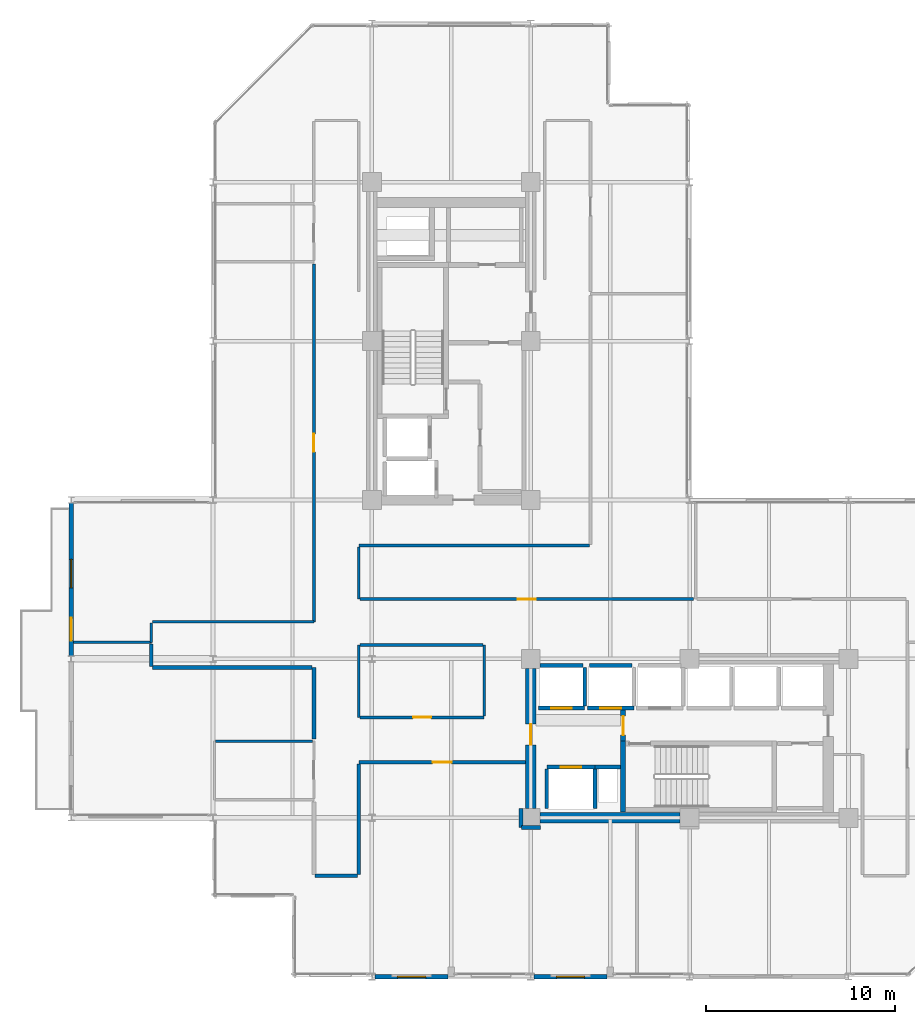
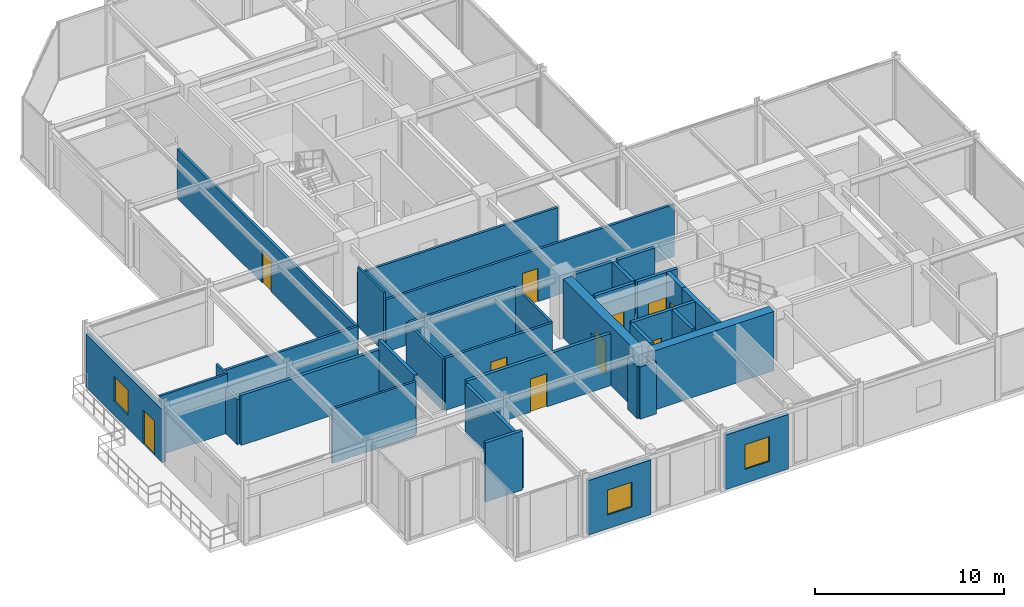
# One storey, part 24 of 29: 36 walls, 10 doors, 3 windows, 13 openings.
"""IFC4 building model written with IfcOpenShell, lengths in metres."""

from ifc_helpers import new_model, si_unit, direction, frame, frame_2d, origin, place, context, subcontext, project, spatial, rectangle, extrude, material, layer, layer_set, type_object, element, fill, save


model = new_model("IFC4")

# Units and contexts
model_context = context("Model", 3, precision=1e-05, world=origin(), true_north=direction((0.0, 1.0)))
body_context = subcontext(model_context, "Body", "Model", "MODEL_VIEW")
ifc_project = project(units=[si_unit("LENGTHUNIT", "METRE"), si_unit("AREAUNIT", "SQUARE_METRE"), si_unit("VOLUMEUNIT", "CUBIC_METRE"), si_unit("PLANEANGLEUNIT", "RADIAN"), si_unit("MASSUNIT", "GRAM", prefix="KILO")], contexts=[model_context])

# Site, building, storey
site_placement = place(None, origin())
site = spatial("IfcSite", under=ifc_project, at=site_placement, CompositionType="ELEMENT")
building_placement = place(site_placement, origin())
building = spatial("IfcBuilding", under=site, at=building_placement, Name="Nerrivon Quay Data Exchange", CompositionType="ELEMENT")
storey_placement = place(building_placement, frame((0.0, 0.0, 200.10009765625)))
storey = spatial("IfcBuildingStorey", under=building, at=storey_placement, Name="L47", CompositionType="ELEMENT", Elevation=200.10009765625)

# Wall, openings, door, window
ifc_material_1 = material(Name="Architectural terracotta precast concrete N50 (50 MPa)", Category="masonry")
ifc_layer_1 = layer(ifc_material_1, 0.239990234375)
ifc_layer_set_1 = layer_set([ifc_layer_1], Name="Architectural terracotta precast concrete N50 (50 MPa)")
wall_type_1 = type_object("IfcWallType", Name="EW-PREC-240", PredefinedType="STANDARD", material=ifc_layer_set_1)
wall_1_placement = place(storey_placement, frame((-7.5, 16.96337890625, 0.0), z_axis=(0.0, 0.0, 1.0), x_axis=(0.0, 1.0, 0.0)))
wall_1 = element("IfcWall", 1, at=wall_1_placement, inside=storey, type_object=wall_type_1, Name="L47 Terrace Host Wall 2", PredefinedType="STANDARD", context=body_context, shape_type="SweptSolid", body=[
    extrude(rectangle(XDim=8.0732421875, YDim=0.239990234375, at=frame_2d((4.03662109375, 0.0))), origin(), (0.0, 0.0, 1.0), 3.421875),
])
opening_1_placement = place(wall_1_placement, frame((0.800048828125, 0.0, 0.0)))
opening_1 = element("IfcOpeningElement", 2, at=opening_1_placement, cuts=wall_1, Name="Opening TD1", PredefinedType="OPENING", context=body_context, shape_type="SweptSolid", body=[
    extrude(rectangle(XDim=1.199951171875, YDim=2.199951171875, at=frame_2d((0.60009765625, 1.10009765625))), frame((0.0, 0.1298828125, 0.0), z_axis=(0.0, -1.0, 0.0), x_axis=(1.0, 0.0, 0.0)), (0.0, 0.0, 1.0), 0.260009765625),
])
opening_2_placement = place(wall_1_placement, frame((3.5947265625, 0.0, 0.89990234375)))
opening_2 = element("IfcOpeningElement", 3, at=opening_2_placement, cuts=wall_1, Name="Opening WN4", PredefinedType="OPENING", context=body_context, shape_type="SweptSolid", body=[
    extrude(rectangle(XDim=1.5, YDim=1.60009765625, at=frame_2d((0.75, 0.800048828125))), frame((0.0, 0.1298828125, 0.0), z_axis=(0.0, -1.0, 0.0), x_axis=(1.0, 0.0, 0.0)), (0.0, 0.0, 1.0), 0.260009765625),
])
ifc_material_2 = material(Name="Double-glazed low-E solar control glass", Category="glass")
door_type_1 = type_object("IfcDoorType", Name="DR-TERR-1200x2200", OperationType="NOTDEFINED", PredefinedType="DOOR", material=ifc_material_2)
door_1_placement = place(opening_1_placement, origin())
door_1 = element("IfcDoor", 4, at=door_1_placement, inside=storey, type_object=door_type_1, Name="L47 Outdoor Terrace Access Door 2", OperationType="SINGLE_SWING_LEFT", OverallHeight=2.199951171875, OverallWidth=1.199951171875, PredefinedType="DOOR", context=body_context, shape_type="SweptSolid", body=[
    extrude(rectangle(XDim=1.199951171875, YDim=2.199951171875, at=frame_2d((0.60009765625, 1.10009765625))), frame((0.0, 0.02490234375, 0.0), z_axis=(0.0, -1.0, 0.0), x_axis=(1.0, 0.0, 0.0)), (0.0, 0.0, 1.0), 0.050048828125),
])
fill(opening_1, door_1)
window_type = type_object("IfcWindowType", Name="WIN-W4-1500x1600", PartitioningType="SINGLE_PANEL", PredefinedType="WINDOW", material=ifc_material_2)
window_1_placement = place(opening_2_placement, origin())
window_1 = element("IfcWindow", 5, at=window_1_placement, inside=storey, type_object=window_type, Name="L47 Terrace Side Window 2", OverallHeight=1.60009765625, OverallWidth=1.5, PartitioningType="SINGLE_PANEL", PredefinedType="WINDOW", context=body_context, shape_type="SweptSolid", body=[
    extrude(rectangle(XDim=1.5, YDim=1.60009765625, at=frame_2d((0.75, 0.800048828125))), frame((0.0, 0.030029296875, 0.0), z_axis=(0.0, -1.0, 0.0), x_axis=(1.0, 0.0, 0.0)), (0.0, 0.0, 1.0), 0.06005859375),
])
fill(opening_2, window_1)

# Wall, opening, window
wall_2_placement = place(storey_placement, frame((20.824951171875, 0.0, 0.0), z_axis=(0.0, 0.0, 1.0), x_axis=(-1.0, 0.0, 0.0)))
wall_2 = element("IfcWall", 6, at=wall_2_placement, inside=storey, type_object=wall_type_1, Name="L47 Podium Precast Spandrel Wall 25", PredefinedType="STANDARD", context=body_context, shape_type="SweptSolid", body=[
    extrude(rectangle(XDim=3.849853515625, YDim=0.239990234375, at=frame_2d((1.9248046875, 0.0))), origin(), (0.0, 0.0, 1.0), 3.52490234375),
])
opening_3_placement = place(wall_2_placement, frame((1.175048828125, 0.0, 0.89990234375)))
opening_3 = element("IfcOpeningElement", 7, at=opening_3_placement, cuts=wall_2, Name="Opening WN4", PredefinedType="OPENING", context=body_context, shape_type="SweptSolid", body=[
    extrude(rectangle(XDim=1.5, YDim=1.60009765625, at=frame_2d((0.75, 0.800048828125))), frame((0.0, 0.1298828125, 0.0), z_axis=(0.0, -1.0, 0.0), x_axis=(1.0, 0.0, 0.0)), (0.0, 0.0, 1.0), 0.260009765625),
])
window_2_placement = place(opening_3_placement, origin())
window_2 = element("IfcWindow", 8, at=window_2_placement, inside=storey, type_object=window_type, Name="L47 Solar Facade Window 25", OverallHeight=1.60009765625, OverallWidth=1.5, PartitioningType="SINGLE_PANEL", PredefinedType="WINDOW", context=body_context, shape_type="SweptSolid", body=[
    extrude(rectangle(XDim=1.5, YDim=1.60009765625, at=frame_2d((0.75, 0.800048828125))), frame((0.0, 0.030029296875, 0.0), z_axis=(0.0, -1.0, 0.0), x_axis=(1.0, 0.0, 0.0)), (0.0, 0.0, 1.0), 0.06005859375),
])
fill(opening_3, window_2)

wall_3_placement = place(storey_placement, frame((12.425048828125, 0.0, 0.0), z_axis=(0.0, 0.0, 1.0), x_axis=(-1.0, 0.0, 0.0)))
wall_3 = element("IfcWall", 9, at=wall_3_placement, inside=storey, type_object=wall_type_1, Name="L47 Podium Precast Spandrel Wall 27", PredefinedType="STANDARD", context=body_context, shape_type="SweptSolid", body=[
    extrude(rectangle(XDim=3.85009765625, YDim=0.239990234375, at=frame_2d((1.925048828125, 0.0))), origin(), (0.0, 0.0, 1.0), 3.52490234375),
])
opening_4_placement = place(wall_3_placement, frame((1.175048828125, 0.0, 0.89990234375)))
opening_4 = element("IfcOpeningElement", 10, at=opening_4_placement, cuts=wall_3, Name="Opening WN4", PredefinedType="OPENING", context=body_context, shape_type="SweptSolid", body=[
    extrude(rectangle(XDim=1.5, YDim=1.60009765625, at=frame_2d((0.75, 0.800048828125))), frame((0.0, 0.1298828125, 0.0), z_axis=(0.0, -1.0, 0.0), x_axis=(1.0, 0.0, 0.0)), (0.0, 0.0, 1.0), 0.260009765625),
])
window_3_placement = place(opening_4_placement, origin())
window_3 = element("IfcWindow", 11, at=window_3_placement, inside=storey, type_object=window_type, Name="L47 Solar Facade Window 27", OverallHeight=1.60009765625, OverallWidth=1.5, PartitioningType="SINGLE_PANEL", PredefinedType="WINDOW", context=body_context, shape_type="SweptSolid", body=[
    extrude(rectangle(XDim=1.5, YDim=1.60009765625, at=frame_2d((0.75, 0.800048828125))), frame((0.0, 0.030029296875, 0.0), z_axis=(0.0, -1.0, 0.0), x_axis=(1.0, 0.0, 0.0)), (0.0, 0.0, 1.0), 0.06005859375),
])
fill(opening_4, window_3)

# Wall
ifc_material_3 = material(Name="Concrete S65 (65 MPa)", Category="concrete")
ifc_layer_2 = layer(ifc_material_3, 0.550048828125)
ifc_layer_set_2 = layer_set([ifc_layer_2], Name="Concrete S65 (65 MPa)")
wall_type_2 = type_object("IfcWallType", Name="WALL-CW-700", PredefinedType="SHEAR", material=ifc_layer_set_2)
wall_4_placement = place(storey_placement, frame((17.300048828125, 8.39990234375, 0.0), z_axis=(0.0, 0.0, 1.0), x_axis=(1.0, 0.0, 0.0)))
element("IfcWall", 12, at=wall_4_placement, inside=storey, type_object=wall_type_2, Name="L47 East Split-Core Shear Wall ECW-S1", PredefinedType="SHEAR", context=body_context, shape_type="SweptSolid", body=[
    extrude(rectangle(XDim=7.39990234375, YDim=0.550048828125, at=frame_2d((3.699951171875, 0.0))), origin(), (0.0, 0.0, 1.0), 3.824951171875),
])

# Wall, opening, door
wall_5_placement = place(storey_placement, frame((16.800048828125, 8.89990234375, 0.0), z_axis=(0.0, 0.0, 1.0), x_axis=(0.0, 1.0, 0.0)))
wall_5 = element("IfcWall", 13, at=wall_5_placement, inside=storey, type_object=wall_type_2, Name="L47 East Split-Core Shear Wall ECW-W1", PredefinedType="SHEAR", context=body_context, shape_type="SweptSolid", body=[
    extrude(rectangle(XDim=7.400146484375, YDim=0.550048828125, at=frame_2d((3.7001953125, 0.0))), origin(), (0.0, 0.0, 1.0), 3.824951171875),
])
opening_5_placement = place(wall_5_placement, frame((3.35009765625, 0.0, 0.0)))
opening_5 = element("IfcOpeningElement", 14, at=opening_5_placement, cuts=wall_5, Name="Opening FD-120", PredefinedType="OPENING", context=body_context, shape_type="SweptSolid", body=[
    extrude(rectangle(XDim=1.10009765625, YDim=2.14990234375, at=frame_2d((0.550048828125, 1.074951171875))), frame((0.0, 0.284912109375, 0.0), z_axis=(0.0, -1.0, 0.0), x_axis=(1.0, 0.0, 0.0)), (0.0, 0.0, 1.0), 0.570068359375),
])
ifc_material_4 = material(Name="Powder-coated galvanized steel sheet", Category="steel")
door_type_2 = type_object("IfcDoorType", Name="DR-FD120-1100", OperationType="NOTDEFINED", PredefinedType="DOOR", material=ifc_material_4)
door_2_placement = place(opening_5_placement, origin())
door_2 = element("IfcDoor", 15, at=door_2_placement, inside=storey, type_object=door_type_2, Name="L47 East Core Lobby Fire Door", OperationType="SINGLE_SWING_RIGHT", OverallHeight=2.14990234375, OverallWidth=1.10009765625, PredefinedType="DOOR", context=body_context, shape_type="SweptSolid", body=[
    extrude(rectangle(XDim=1.10009765625, YDim=2.14990234375, at=frame_2d((0.550048828125, 1.074951171875))), frame((0.0, 0.02490234375, 0.0), z_axis=(0.0, -1.0, 0.0), x_axis=(1.0, 0.0, 0.0)), (0.0, 0.0, 1.0), 0.050048828125),
])
fill(opening_5, door_2)

# Wall
ifc_material_5 = material(Name="Gypsum plasterboard on cold-formed framing", Category="gypsum")
ifc_layer_3 = layer(ifc_material_5, 0.199951171875)
ifc_layer_set_3 = layer_set([ifc_layer_3], Name="Gypsum plasterboard on cold-formed framing")
wall_type_3 = type_object("IfcWallType", Name="WALL-FW-200", PredefinedType="PARTITIONING", material=ifc_layer_set_3)
wall_6_placement = place(storey_placement, frame((20.199951171875, 11.080078125, 0.0), z_axis=(0.0, 0.0, 1.0), x_axis=(1.0, 0.0, 0.0)))
element("IfcWall", 16, at=wall_6_placement, inside=storey, type_object=wall_type_3, Name="L47 East Core MEP Riser Shaft Wall N", PredefinedType="PARTITIONING", context=body_context, shape_type="SweptSolid", body=[
    extrude(rectangle(XDim=1.35009765625, YDim=0.199951171875, at=frame_2d((0.675048828125, 0.0))), origin(), (0.0, 0.0, 1.0), 3.824951171875),
])

# Wall, opening, door
wall_7_placement = place(storey_placement, frame((17.64990234375, 11.080078125, 0.0), z_axis=(0.0, 0.0, 1.0), x_axis=(1.0, 0.0, 0.0)))
wall_7 = element("IfcWall", 17, at=wall_7_placement, inside=storey, type_object=wall_type_3, Name="L47 Lift Front Wall FFL-2", PredefinedType="PARTITIONING", context=body_context, shape_type="SweptSolid", body=[
    extrude(rectangle(XDim=2.550048828125, YDim=0.199951171875, at=frame_2d((1.27490234375, 0.0))), origin(), (0.0, 0.0, 1.0), 3.824951171875),
])
opening_6_placement = place(wall_7_placement, frame((0.72509765625, 0.0, 0.0)))
opening_6 = element("IfcOpeningElement", 18, at=opening_6_placement, cuts=wall_7, Name="Opening LD-120", PredefinedType="OPENING", context=body_context, shape_type="SweptSolid", body=[
    extrude(rectangle(XDim=1.10009765625, YDim=2.199951171875, at=frame_2d((0.550048828125, 1.10009765625))), frame((0.0, 0.10986328125, 0.0), z_axis=(0.0, -1.0, 0.0), x_axis=(1.0, 0.0, 0.0)), (0.0, 0.0, 1.0), 0.219970703125),
])
door_type_3 = type_object("IfcDoorType", Name="DR-LIFT-LD120", OperationType="DOUBLE_DOOR_SLIDING", PredefinedType="DOOR", material=ifc_material_4)
door_3_placement = place(opening_6_placement, origin())
door_3 = element("IfcDoor", 19, at=door_3_placement, inside=storey, type_object=door_type_3, Name="L47 Lift Landing Sliding Door FFL-2", OperationType="DOUBLE_DOOR_SLIDING", OverallHeight=2.199951171875, OverallWidth=1.10009765625, PredefinedType="DOOR", context=body_context, shape_type="SweptSolid", body=[
    extrude(rectangle(XDim=1.10009765625, YDim=2.199951171875, at=frame_2d((0.550048828125, 1.10009765625))), frame((0.0, 0.02490234375, 0.0), z_axis=(0.0, -1.0, 0.0), x_axis=(1.0, 0.0, 0.0)), (0.0, 0.0, 1.0), 0.050048828125),
])
fill(opening_6, door_3)

# Walls
for number, where, z_axis, x_axis, name in (
    (20, (20.199951171875, 8.8798828125, 0.0), (0.0, 0.0, 1.0), (0.0, 1.0, 0.0), "L47 Lift Shaft Wall FFL-2 EAST"),
    (21, (17.64990234375, 8.8798828125, 0.0), (0.0, 0.0, 1.0), (0.0, 1.0, 0.0), "L47 Lift Shaft Wall FFL-2 WEST"),
):
    element("IfcWall", number, at=place(storey_placement, frame(where, z_axis=z_axis, x_axis=x_axis)), inside=storey, type_object=wall_type_3, Name=name, PredefinedType="PARTITIONING", context=body_context, shape_type="SweptSolid", body=[
        extrude(rectangle(XDim=2.10009765625, YDim=0.199951171875, at=frame_2d((1.050048828125, 0.0))), origin(), (0.0, 0.0, 1.0), 3.824951171875),
    ])

# Wall, opening, door
wall_8_placement = place(storey_placement, frame((17.199951171875, 14.199951171875, 0.0), z_axis=(0.0, 0.0, 1.0), x_axis=(1.0, 0.0, 0.0)))
wall_8 = element("IfcWall", 22, at=wall_8_placement, inside=storey, type_object=wall_type_3, Name="L47 Lift Front Wall PL4", PredefinedType="PARTITIONING", context=body_context, shape_type="SweptSolid", body=[
    extrude(rectangle(XDim=2.449951171875, YDim=0.199951171875, at=frame_2d((1.22509765625, 0.0))), origin(), (0.0, 0.0, 1.0), 3.824951171875),
])
opening_7_placement = place(wall_8_placement, frame((0.675048828125, 0.0, 0.0)))
opening_7 = element("IfcOpeningElement", 23, at=opening_7_placement, cuts=wall_8, Name="Opening LD-120", PredefinedType="OPENING", context=body_context, shape_type="SweptSolid", body=[
    extrude(rectangle(XDim=1.10009765625, YDim=2.199951171875, at=frame_2d((0.550048828125, 1.10009765625))), frame((0.0, 0.10986328125, 0.0), z_axis=(0.0, -1.0, 0.0), x_axis=(1.0, 0.0, 0.0)), (0.0, 0.0, 1.0), 0.219970703125),
])
door_4_placement = place(opening_7_placement, origin())
door_4 = element("IfcDoor", 24, at=door_4_placement, inside=storey, type_object=door_type_3, Name="L47 Lift Landing Sliding Door PL4", OperationType="DOUBLE_DOOR_SLIDING", OverallHeight=2.199951171875, OverallWidth=1.10009765625, PredefinedType="DOOR", context=body_context, shape_type="SweptSolid", body=[
    extrude(rectangle(XDim=1.10009765625, YDim=2.199951171875, at=frame_2d((0.550048828125, 1.10009765625))), frame((0.0, 0.02490234375, 0.0), z_axis=(0.0, -1.0, 0.0), x_axis=(1.0, 0.0, 0.0)), (0.0, 0.0, 1.0), 0.050048828125),
])
fill(opening_7, door_4)

# Walls
wall_9_placement = place(storey_placement, frame((19.64990234375, 14.300048828125, 0.0), z_axis=(0.0, 0.0, 1.0), x_axis=(0.0, 1.0, 0.0)))
element("IfcWall", 25, at=wall_9_placement, inside=storey, type_object=wall_type_3, Name="L47 Lift Shaft Wall PL4 EAST", PredefinedType="PARTITIONING", context=body_context, shape_type="SweptSolid", body=[
    extrude(rectangle(XDim=2.050048828125, YDim=0.199951171875, at=frame_2d((1.02490234375, 0.0))), origin(), (0.0, 0.0, 1.0), 3.824951171875),
])
wall_10_placement = place(storey_placement, frame((17.300048828125, 16.449951171875, 0.0), z_axis=(0.0, 0.0, 1.0), x_axis=(1.0, 0.0, 0.0)))
element("IfcWall", 26, at=wall_10_placement, inside=storey, type_object=wall_type_3, Name="L47 Lift Shaft Wall PL4 NORTH", PredefinedType="PARTITIONING", context=body_context, shape_type="SweptSolid", body=[
    extrude(rectangle(XDim=2.25, YDim=0.199951171875, at=frame_2d((1.125, 0.0))), origin(), (0.0, 0.0, 1.0), 3.824951171875),
])

# Wall, opening, door
wall_11_placement = place(storey_placement, frame((19.800048828125, 14.199951171875, 0.0), z_axis=(0.0, 0.0, 1.0), x_axis=(1.0, 0.0, 0.0)))
wall_11 = element("IfcWall", 27, at=wall_11_placement, inside=storey, type_object=wall_type_3, Name="L47 Lift Front Wall PL5", PredefinedType="PARTITIONING", context=body_context, shape_type="SweptSolid", body=[
    extrude(rectangle(XDim=2.449951171875, YDim=0.199951171875, at=frame_2d((1.22509765625, 0.0))), origin(), (0.0, 0.0, 1.0), 3.824951171875),
])
opening_8_placement = place(wall_11_placement, frame((0.675048828125, 0.0, 0.0)))
opening_8 = element("IfcOpeningElement", 28, at=opening_8_placement, cuts=wall_11, Name="Opening LD-120", PredefinedType="OPENING", context=body_context, shape_type="SweptSolid", body=[
    extrude(rectangle(XDim=1.10009765625, YDim=2.199951171875, at=frame_2d((0.550048828125, 1.10009765625))), frame((0.0, 0.10986328125, 0.0), z_axis=(0.0, -1.0, 0.0), x_axis=(1.0, 0.0, 0.0)), (0.0, 0.0, 1.0), 0.219970703125),
])
door_5_placement = place(opening_8_placement, origin())
door_5 = element("IfcDoor", 29, at=door_5_placement, inside=storey, type_object=door_type_3, Name="L47 Lift Landing Sliding Door PL5", OperationType="DOUBLE_DOOR_SLIDING", OverallHeight=2.199951171875, OverallWidth=1.10009765625, PredefinedType="DOOR", context=body_context, shape_type="SweptSolid", body=[
    extrude(rectangle(XDim=1.10009765625, YDim=2.199951171875, at=frame_2d((0.550048828125, 1.10009765625))), frame((0.0, 0.02490234375, 0.0), z_axis=(0.0, -1.0, 0.0), x_axis=(1.0, 0.0, 0.0)), (0.0, 0.0, 1.0), 0.050048828125),
])
fill(opening_8, door_5)

# Walls
wall_12_placement = place(storey_placement, frame((19.89990234375, 16.449951171875, 0.0), z_axis=(0.0, 0.0, 1.0), x_axis=(1.0, 0.0, 0.0)))
element("IfcWall", 30, at=wall_12_placement, inside=storey, type_object=wall_type_3, Name="L47 Lift Shaft Wall PL5 NORTH", PredefinedType="PARTITIONING", context=body_context, shape_type="SweptSolid", body=[
    extrude(rectangle(XDim=2.25, YDim=0.199951171875, at=frame_2d((1.125, 0.0))), origin(), (0.0, 0.0, 1.0), 3.824951171875),
])
wall_13_placement = place(storey_placement, frame((-3.260009765625, 16.39990234375, 0.0), z_axis=(0.0, 0.0, 1.0), x_axis=(0.0, 1.0, 0.0)))
element("IfcWall", 31, at=wall_13_placement, inside=storey, type_object=wall_type_3, Name="L47 Partition Colocation Data Workspace 1", PredefinedType="PARTITIONING", context=body_context, shape_type="SweptSolid", body=[
    extrude(rectangle(XDim=1.198486328125, YDim=0.199951171875, at=frame_2d((0.59912109375, 0.0))), origin(), (0.0, 0.0, 1.0), 2.914794921875),
])
wall_14_placement = place(storey_placement, frame((17.303955078125, 7.88037109375, 0.0), z_axis=(0.0, 0.0, 1.0), x_axis=(-0.999999881717, -0.000486381265, 0.0)))
element("IfcWall", 32, at=wall_14_placement, inside=storey, type_object=wall_type_3, Name="L47 Partition Colocation Data Workspace 1", PredefinedType="PARTITIONING", context=body_context, shape_type="SweptSolid", body=[
    extrude(rectangle(XDim=1.00390625, YDim=0.199951171875, at=frame_2d((0.501953125, 0.0))), origin(), (0.0, 0.0, 1.0), 3.370849609375),
])
wall_15_placement = place(storey_placement, frame((16.280029296875, 7.89990234375, 0.0), z_axis=(0.0, 0.0, 1.0), x_axis=(0.000486381265, 0.999999881717, 0.0)))
element("IfcWall", 33, at=wall_15_placement, inside=storey, type_object=wall_type_3, Name="L47 Partition Colocation Data Workspace 1", PredefinedType="PARTITIONING", context=body_context, shape_type="SweptSolid", body=[
    extrude(rectangle(XDim=1.00390625, YDim=0.199951171875, at=frame_2d((0.501953125, 0.0))), origin(), (0.0, 0.0, 1.0), 3.364990234375),
])

# Wall, opening, door
wall_16_placement = place(storey_placement, frame((16.52099609375, 11.340087890625, 0.0), z_axis=(0.0, 0.0, 1.0), x_axis=(-1.0, 0.0, 0.0)))
wall_16 = element("IfcWall", 34, at=wall_16_placement, inside=storey, type_object=wall_type_3, Name="L47 Partition Colocation Data Workspace 1", PredefinedType="PARTITIONING", context=body_context, shape_type="SweptSolid", body=[
    extrude(rectangle(XDim=8.81103515625, YDim=0.199951171875, at=frame_2d((4.405517578125, 0.0))), origin(), (0.0, 0.0, 1.0), 3.370849609375),
])
opening_9_placement = place(wall_16_placement, frame((3.905517578125, 0.0, 0.0)))
opening_9 = element("IfcOpeningElement", 35, at=opening_9_placement, cuts=wall_16, Name="Opening FD-60", PredefinedType="OPENING", context=body_context, shape_type="SweptSolid", body=[
    extrude(rectangle(XDim=1.0, YDim=2.14990234375, at=frame_2d((0.5, 1.074951171875))), frame((0.0, 0.10986328125, 0.0), z_axis=(0.0, -1.0, 0.0), x_axis=(1.0, 0.0, 0.0)), (0.0, 0.0, 1.0), 0.219970703125),
])
ifc_material_6 = material(Name="Engineered hardwood timber", Category="wood")
door_type_4 = type_object("IfcDoorType", Name="DR-FD60-1000", OperationType="NOTDEFINED", PredefinedType="DOOR", material=ifc_material_6)
door_6_placement = place(opening_9_placement, origin())
door_6 = element("IfcDoor", 36, at=door_6_placement, inside=storey, type_object=door_type_4, Name="L47 Door Colocation Data Workspace 1", OperationType="SINGLE_SWING_RIGHT", OverallHeight=2.14990234375, OverallWidth=1.0, PredefinedType="DOOR", context=body_context, shape_type="SweptSolid", body=[
    extrude(rectangle(XDim=1.0, YDim=2.14990234375, at=frame_2d((0.5, 1.074951171875))), frame((0.0, 0.02490234375, 0.0), z_axis=(0.0, -1.0, 0.0), x_axis=(1.0, 0.0, 0.0)), (0.0, 0.0, 1.0), 0.050048828125),
])
fill(opening_9, door_6)

# Walls
wall_17_placement = place(storey_placement, frame((7.7099609375, 11.236083984375, 0.0), z_axis=(0.0, 0.0, 1.0), x_axis=(0.0, -1.0, 0.0)))
element("IfcWall", 37, at=wall_17_placement, inside=storey, type_object=wall_type_3, Name="L47 Partition Colocation Data Workspace 1", PredefinedType="PARTITIONING", context=body_context, shape_type="SweptSolid", body=[
    extrude(rectangle(XDim=5.836181640625, YDim=0.199951171875, at=frame_2d((2.91796875, 0.0))), origin(), (0.0, 0.0, 1.0), 3.212890625),
])
wall_18_placement = place(storey_placement, frame((7.64990234375, 5.340087890625, 0.0), z_axis=(0.0, 0.0, 1.0), x_axis=(-1.0, 0.0, 0.0)))
element("IfcWall", 38, at=wall_18_placement, inside=storey, type_object=wall_type_3, Name="L47 Partition Colocation Data Workspace 1", PredefinedType="PARTITIONING", context=body_context, shape_type="SweptSolid", body=[
    extrude(rectangle(XDim=2.25, YDim=0.199951171875, at=frame_2d((1.125, 0.0))), origin(), (0.0, 0.0, 1.0), 3.824951171875),
])
wall_19_placement = place(storey_placement, frame((5.340087890625, 12.570068359375, 0.0), z_axis=(0.0, 0.0, 1.0), x_axis=(0.0, 1.0, 0.0)))
element("IfcWall", 39, at=wall_19_placement, inside=storey, type_object=wall_type_3, Name="L47 Partition Colocation Data Workspace 1", PredefinedType="PARTITIONING", context=body_context, shape_type="SweptSolid", body=[
    extrude(rectangle(XDim=3.77001953125, YDim=0.199951171875, at=frame_2d((1.885009765625, 0.0))), origin(), (0.0, 0.0, 1.0), 3.824951171875),
])
wall_20_placement = place(storey_placement, frame((5.236083984375, 16.340087890625, 0.0), z_axis=(0.0, 0.0, 1.0), x_axis=(-1.0, 0.0, 0.0)))
element("IfcWall", 40, at=wall_20_placement, inside=storey, type_object=wall_type_3, Name="L47 Partition Colocation Data Workspace 1", PredefinedType="PARTITIONING", context=body_context, shape_type="SweptSolid", body=[
    extrude(rectangle(XDim=8.43603515625, YDim=0.199951171875, at=frame_2d((4.218017578125, 0.0))), origin(), (0.0, 0.0, 1.0), 3.222900390625),
])
ifc_layer_4 = layer(ifc_material_5, 0.1201171875)
ifc_layer_set_4 = layer_set([ifc_layer_4], Name="Gypsum plasterboard on cold-formed framing")
wall_type_4 = type_object("IfcWallType", Name="WALL-PT-120", PredefinedType="PARTITIONING", material=ifc_layer_set_4)
wall_21_placement = place(storey_placement, frame((7.7099609375, 22.7109375, 0.0), z_axis=(0.0, 0.0, 1.0), x_axis=(0.0, -1.0, 0.0)))
element("IfcWall", 41, at=wall_21_placement, inside=storey, type_object=wall_type_4, Name="L47 Partition Staff Tea Pantry", PredefinedType="PARTITIONING", context=body_context, shape_type="SweptSolid", body=[
    extrude(rectangle(XDim=2.7509765625, YDim=0.1201171875, at=frame_2d((1.37548828125, 0.0))), origin(), (0.0, 0.0, 1.0), 3.824951171875),
])
wall_22_placement = place(storey_placement, frame((-3.260009765625, 17.669921875, 0.0), z_axis=(0.0, 0.0, 1.0), x_axis=(0.000235682294, 0.999999972227, 0.0)))
element("IfcWall", 42, at=wall_22_placement, inside=storey, type_object=wall_type_4, Name="L47 Partition Network Security Control", PredefinedType="PARTITIONING", context=body_context, shape_type="SweptSolid", body=[
    extrude(rectangle(XDim=1.035888671875, YDim=0.1201171875, at=frame_2d((0.51806640625, 0.0))), origin(), (0.0, 0.0, 1.0), 3.824951171875),
])
ifc_layer_5 = layer(ifc_material_5, 0.135009765625)
ifc_layer_set_5 = layer_set([ifc_layer_5], Name="Gypsum plasterboard on cold-formed framing")
wall_type_5 = type_object("IfcWallType", Name="WALL-PT-135", PredefinedType="PARTITIONING", material=ifc_layer_set_5)
wall_23_placement = place(storey_placement, frame((5.27587890625, 12.449951171875, 0.0), z_axis=(0.0, 0.0, 1.0), x_axis=(-1.0, 0.0, 0.0)))
element("IfcWall", 43, at=wall_23_placement, inside=storey, type_object=wall_type_5, Name="L47 Partition Public Washrooms", PredefinedType="PARTITIONING", context=body_context, shape_type="SweptSolid", body=[
    extrude(rectangle(XDim=5.1318359375, YDim=0.135009765625, at=frame_2d((2.56591796875, 0.0))), origin(), (0.0, 0.0, 1.0), 3.517822265625),
])
wall_24_placement = place(storey_placement, frame((7.7099609375, 17.5400390625, 0.0), z_axis=(0.0, 0.0, 1.0), x_axis=(0.0, -1.0, 0.0)))
element("IfcWall", 44, at=wall_24_placement, inside=storey, type_object=wall_type_5, Name="L47 Partition Staff Pantry", PredefinedType="PARTITIONING", context=body_context, shape_type="SweptSolid", body=[
    extrude(rectangle(XDim=3.830078125, YDim=0.135009765625, at=frame_2d((1.9150390625, 0.0))), origin(), (0.0, 0.0, 1.0), 3.364990234375),
])
wall_25_placement = place(storey_placement, frame((14.340087890625, 13.7890625, 0.0), z_axis=(0.0, 0.0, 1.0), x_axis=(0.0, 1.0, 0.0)))
element("IfcWall", 45, at=wall_25_placement, inside=storey, type_object=wall_type_5, Name="L47 Partition Staff Pantry", PredefinedType="PARTITIONING", context=body_context, shape_type="SweptSolid", body=[
    extrude(rectangle(XDim=3.7509765625, YDim=0.135009765625, at=frame_2d((1.87548828125, 0.0))), origin(), (0.0, 0.0, 1.0), 3.364990234375),
])
wall_26_placement = place(storey_placement, frame((-7.3759765625, 17.669921875, 0.0), z_axis=(0.0, 0.0, 1.0), x_axis=(1.0, 0.0, 0.0)))
element("IfcWall", 46, at=wall_26_placement, inside=storey, type_object=wall_type_5, Name="L47 Partition Network Security Control", PredefinedType="PARTITIONING", context=body_context, shape_type="SweptSolid", body=[
    extrude(rectangle(XDim=4.115966796875, YDim=0.135009765625, at=frame_2d((2.05810546875, 0.0))), origin(), (0.0, 0.0, 1.0), 3.824951171875),
])

# Wall, opening, door
ifc_layer_6 = layer(ifc_material_5, 0.14990234375)
ifc_layer_set_6 = layer_set([ifc_layer_6], Name="Gypsum plasterboard on cold-formed framing")
wall_type_6 = type_object("IfcWallType", Name="WALL-PT-150", PredefinedType="PARTITIONING", material=ifc_layer_set_6)
wall_27_placement = place(storey_placement, frame((7.781494140625, 13.7099609375, 0.0), z_axis=(0.0, 0.0, 1.0), x_axis=(1.0, 0.0, 0.0)))
wall_27 = element("IfcWall", 47, at=wall_27_placement, inside=storey, type_object=wall_type_6, Name="L47 Partition Staff Pantry", PredefinedType="PARTITIONING", context=body_context, shape_type="SweptSolid", body=[
    extrude(rectangle(XDim=6.55859375, YDim=0.14990234375, at=frame_2d((3.279296875, 0.0))), origin(), (0.0, 0.0, 1.0), 3.370849609375),
])
opening_10_placement = place(wall_27_placement, frame((2.80419921875, 0.0, 0.0)))
opening_10 = element("IfcOpeningElement", 48, at=opening_10_placement, cuts=wall_27, Name="Opening D-01", PredefinedType="OPENING", context=body_context, shape_type="SweptSolid", body=[
    extrude(rectangle(XDim=0.949951171875, YDim=2.14990234375, at=frame_2d((0.47509765625, 1.074951171875))), frame((0.0, 0.0849609375, 0.0), z_axis=(0.0, -1.0, 0.0), x_axis=(1.0, 0.0, 0.0)), (0.0, 0.0, 1.0), 0.169921875),
])
door_type_5 = type_object("IfcDoorType", Name="DR-INT-950", OperationType="NOTDEFINED", PredefinedType="DOOR", material=ifc_material_6)
door_7_placement = place(opening_10_placement, origin())
door_7 = element("IfcDoor", 49, at=door_7_placement, inside=storey, type_object=door_type_5, Name="L47 Door Staff Pantry", OperationType="SINGLE_SWING_RIGHT", OverallHeight=2.14990234375, OverallWidth=0.949951171875, PredefinedType="DOOR", context=body_context, shape_type="SweptSolid", body=[
    extrude(rectangle(XDim=0.949951171875, YDim=2.14990234375, at=frame_2d((0.47509765625, 1.074951171875))), frame((0.0, 0.02490234375, 0.0), z_axis=(0.0, -1.0, 0.0), x_axis=(1.0, 0.0, 0.0)), (0.0, 0.0, 1.0), 0.050048828125),
])
fill(opening_10, door_7)

# Walls
wall_28_placement = place(storey_placement, frame((14.2685546875, 17.5400390625, 0.0), z_axis=(0.0, 0.0, 1.0), x_axis=(-1.0, 0.0, 0.0)))
element("IfcWall", 50, at=wall_28_placement, inside=storey, type_object=wall_type_6, Name="L47 Partition Staff Pantry", PredefinedType="PARTITIONING", context=body_context, shape_type="SweptSolid", body=[
    extrude(rectangle(XDim=6.487060546875, YDim=0.14990234375, at=frame_2d((3.24365234375, 0.0))), origin(), (0.0, 0.0, 1.0), 3.370849609375),
])
wall_29_placement = place(storey_placement, frame((19.89990234375, 22.7900390625, 0.0), z_axis=(0.0, 0.0, 1.0), x_axis=(-1.0, 0.0, 0.0)))
element("IfcWall", 51, at=wall_29_placement, inside=storey, type_object=wall_type_6, Name="L47 Partition Staff Tea Pantry", PredefinedType="PARTITIONING", context=body_context, shape_type="SweptSolid", body=[
    extrude(rectangle(XDim=12.18994140625, YDim=0.14990234375, at=frame_2d((6.094970703125, 0.0))), origin(), (0.0, 0.0, 1.0), 3.370849609375),
])

# Wall, opening, door
wall_30_placement = place(storey_placement, frame((7.77392578125, 19.9599609375, 0.0), z_axis=(0.0, 0.0, 1.0), x_axis=(1.0, 0.0, 0.0)))
wall_30 = element("IfcWall", 52, at=wall_30_placement, inside=storey, type_object=wall_type_6, Name="L47 Partition Staff Tea Pantry", PredefinedType="PARTITIONING", context=body_context, shape_type="SweptSolid", body=[
    extrude(rectangle(XDim=17.627685546875, YDim=0.14990234375, at=frame_2d((8.81396484375, 0.0))), origin(), (0.0, 0.0, 1.0), 3.370849609375),
])
opening_11_placement = place(wall_30_placement, frame((8.3388671875, 0.0, 0.0)))
opening_11 = element("IfcOpeningElement", 53, at=opening_11_placement, cuts=wall_30, Name="Opening D-01", PredefinedType="OPENING", context=body_context, shape_type="SweptSolid", body=[
    extrude(rectangle(XDim=0.949951171875, YDim=2.14990234375, at=frame_2d((0.47509765625, 1.074951171875))), frame((0.0, 0.0849609375, 0.0), z_axis=(0.0, -1.0, 0.0), x_axis=(1.0, 0.0, 0.0)), (0.0, 0.0, 1.0), 0.169921875),
])
door_8_placement = place(opening_11_placement, origin())
door_8 = element("IfcDoor", 54, at=door_8_placement, inside=storey, type_object=door_type_5, Name="L47 Door Staff Tea Pantry", OperationType="SINGLE_SWING_RIGHT", OverallHeight=2.14990234375, OverallWidth=0.949951171875, PredefinedType="DOOR", context=body_context, shape_type="SweptSolid", body=[
    extrude(rectangle(XDim=0.949951171875, YDim=2.14990234375, at=frame_2d((0.47509765625, 1.074951171875))), frame((0.0, 0.02490234375, 0.0), z_axis=(0.0, -1.0, 0.0), x_axis=(1.0, 0.0, 0.0)), (0.0, 0.0, 1.0), 0.050048828125),
])
fill(opening_11, door_8)

# Wall
wall_31_placement = place(storey_placement, frame((-3.205810546875, 18.759765625, 0.0), z_axis=(0.0, 0.0, 1.0), x_axis=(0.999999999592, 2.8568164e-05, 0.0)))
element("IfcWall", 55, at=wall_31_placement, inside=storey, type_object=wall_type_6, Name="L47 Partition Network Security Control", PredefinedType="PARTITIONING", context=body_context, shape_type="SweptSolid", body=[
    extrude(rectangle(XDim=8.5458984375, YDim=0.14990234375, at=frame_2d((4.27294921875, 0.0))), origin(), (0.0, 0.0, 1.0), 3.222900390625),
])

# Wall, opening, door
wall_32_placement = place(storey_placement, frame((5.340087890625, 18.760009765625, 0.0), z_axis=(0.0, 0.0, 1.0), x_axis=(0.0, 1.0, 0.0)))
wall_32 = element("IfcWall", 56, at=wall_32_placement, inside=storey, type_object=wall_type_6, Name="L47 Partition Network Security Control", PredefinedType="PARTITIONING", context=body_context, shape_type="SweptSolid", body=[
    extrude(rectangle(XDim=18.919921875, YDim=0.14990234375, at=frame_2d((9.4599609375, 0.0))), origin(), (0.0, 0.0, 1.0), 3.212890625),
])
opening_12_placement = place(wall_32_placement, frame((8.985107421875, 0.0, 0.0)))
opening_12 = element("IfcOpeningElement", 57, at=opening_12_placement, cuts=wall_32, Name="Opening D-01", PredefinedType="OPENING", context=body_context, shape_type="SweptSolid", body=[
    extrude(rectangle(XDim=0.949951171875, YDim=2.14990234375, at=frame_2d((0.47509765625, 1.074951171875))), frame((0.0, 0.0849609375, 0.0), z_axis=(0.0, -1.0, 0.0), x_axis=(1.0, 0.0, 0.0)), (0.0, 0.0, 1.0), 0.169921875),
])
door_9_placement = place(opening_12_placement, origin())
door_9 = element("IfcDoor", 58, at=door_9_placement, inside=storey, type_object=door_type_5, Name="L47 Door Network Security Control", OperationType="SINGLE_SWING_LEFT", OverallHeight=2.14990234375, OverallWidth=0.949951171875, PredefinedType="DOOR", context=body_context, shape_type="SweptSolid", body=[
    extrude(rectangle(XDim=0.949951171875, YDim=2.14990234375, at=frame_2d((0.47509765625, 1.074951171875))), frame((0.0, 0.02490234375, 0.0), z_axis=(0.0, -1.0, 0.0), x_axis=(1.0, 0.0, 0.0)), (0.0, 0.0, 1.0), 0.050048828125),
])
fill(opening_12, door_9)

# Wall
ifc_material_7 = material(Name="Concrete N50 (50 MPa)", Category="concrete")
ifc_layer_7 = layer(ifc_material_7, 0.25)
ifc_layer_set_7 = layer_set([ifc_layer_7], Name="Concrete N50 (50 MPa)")
wall_type_7 = type_object("IfcWallType", Name="WALL-SW-250", PredefinedType="SHEAR", material=ifc_layer_set_7)
wall_33_placement = place(storey_placement, frame((21.675048828125, 8.699951171875, 0.0), z_axis=(0.0, 0.0, 1.0), x_axis=(0.0, 1.0, 0.0)))
element("IfcWall", 59, at=wall_33_placement, inside=storey, type_object=wall_type_7, Name="L47 ST02 Structural Stair Core Wall NEAR", PredefinedType="SHEAR", context=body_context, shape_type="SweptSolid", body=[
    extrude(rectangle(XDim=3.75, YDim=0.25, at=frame_2d((1.875, 0.0))), origin(), (0.0, 0.0, 1.0), 3.824951171875),
])

# Wall, opening, door
wall_34_placement = place(storey_placement, frame((21.679931640625, 12.449951171875, 0.0), z_axis=(0.0, 0.0, 1.0), x_axis=(0.0, 1.0, 0.0)))
wall_34 = element("IfcWall", 60, at=wall_34_placement, inside=storey, type_object=wall_type_7, Name="L47 East Firefighting Lobby Wall", PredefinedType="SHEAR", context=body_context, shape_type="SweptSolid", body=[
    extrude(rectangle(XDim=1.650146484375, YDim=0.25, at=frame_2d((0.8251953125, 0.0))), origin(), (0.0, 0.0, 1.0), 3.824951171875),
])
opening_13_placement = place(wall_34_placement, frame((0.324951171875, 0.0, 0.0)))
opening_13 = element("IfcOpeningElement", 61, at=opening_13_placement, cuts=wall_34, Name="Opening FD-60", PredefinedType="OPENING", context=body_context, shape_type="SweptSolid", body=[
    extrude(rectangle(XDim=1.0, YDim=2.14990234375, at=frame_2d((0.5, 1.074951171875))), frame((0.0, 0.135009765625, 0.0), z_axis=(0.0, -1.0, 0.0), x_axis=(1.0, 0.0, 0.0)), (0.0, 0.0, 1.0), 0.27001953125),
])
door_10_placement = place(opening_13_placement, origin())
door_10 = element("IfcDoor", 62, at=door_10_placement, inside=storey, type_object=door_type_4, Name="L47 East Firefighting Lobby Fire Door", OperationType="SINGLE_SWING_RIGHT", OverallHeight=2.14990234375, OverallWidth=1.0, PredefinedType="DOOR", context=body_context, shape_type="SweptSolid", body=[
    extrude(rectangle(XDim=1.0, YDim=2.14990234375, at=frame_2d((0.5, 1.074951171875))), frame((0.0, 0.02490234375, 0.0), z_axis=(0.0, -1.0, 0.0), x_axis=(1.0, 0.0, 0.0)), (0.0, 0.0, 1.0), 0.050048828125),
])
fill(opening_13, door_10)

save(model, "model.ifc")
